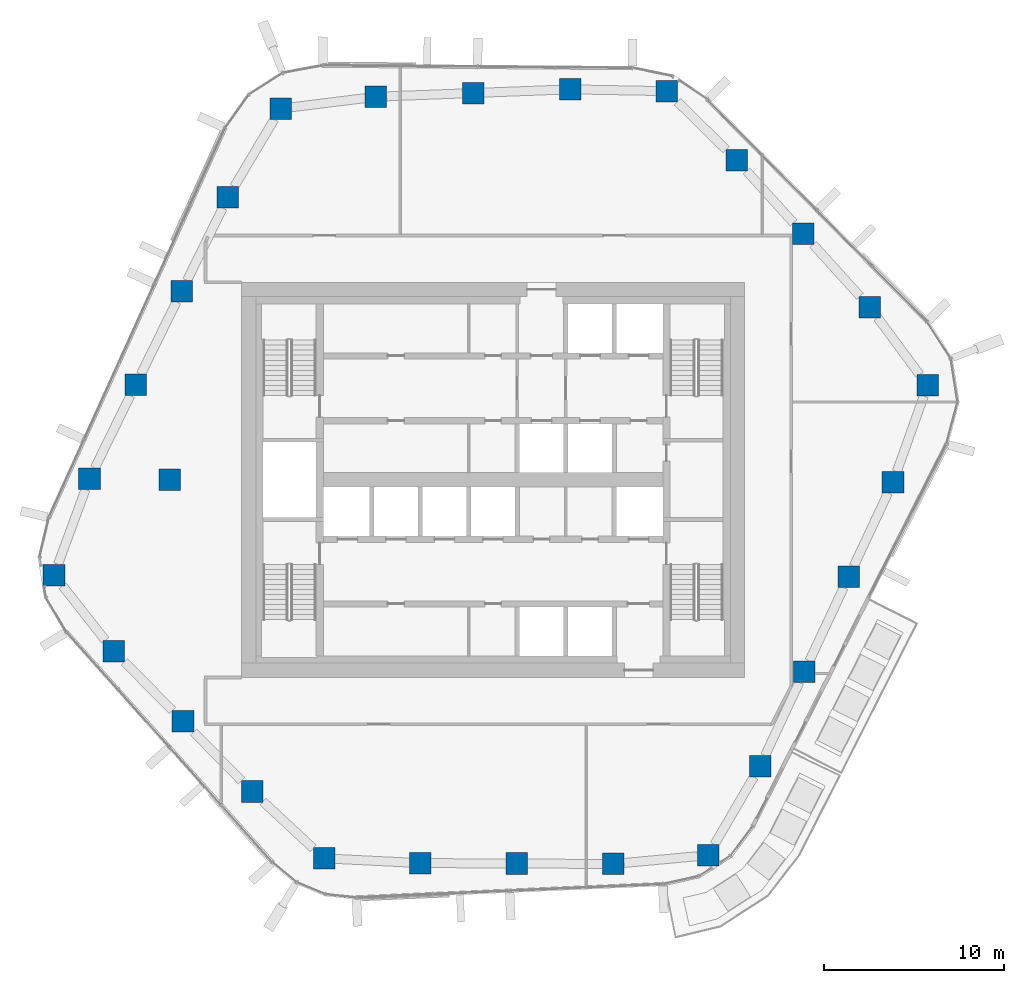
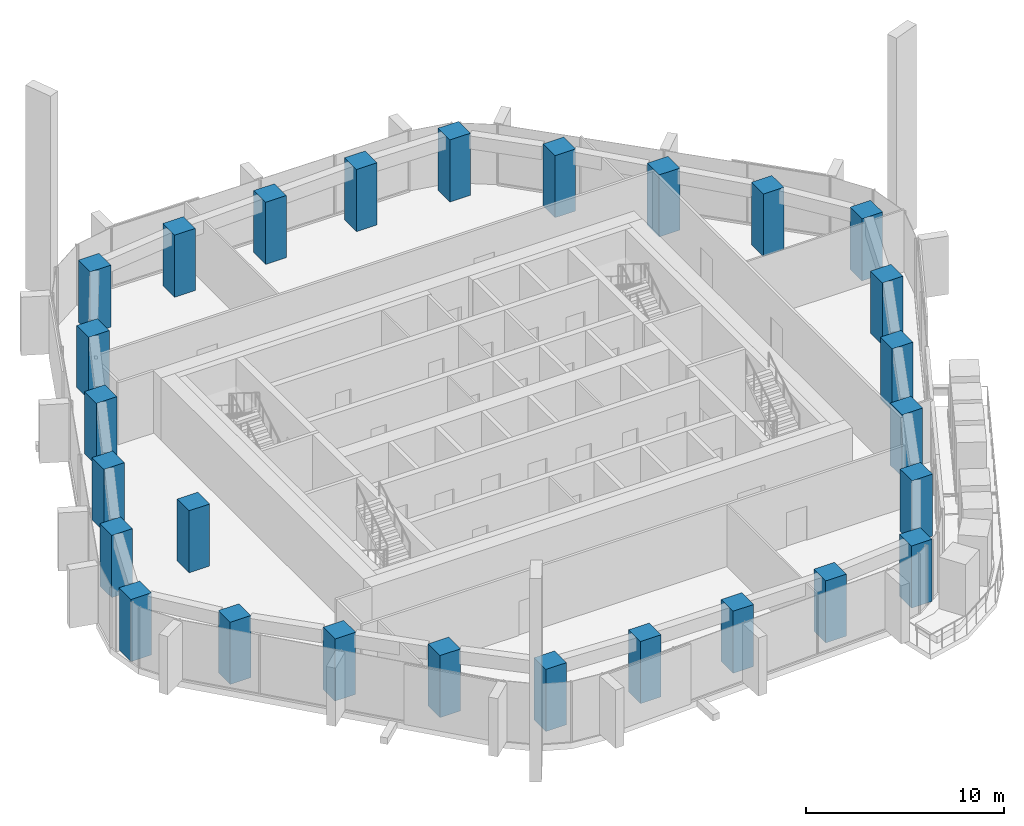
# One storey, part 1 of 18: 27 columns.
"""IFC4 building model written with IfcOpenShell, lengths in metres."""

from ifc_helpers import new_model, si_unit, direction, frame, origin, origin_2d, place, context, subcontext, project, spatial, rectangle, extrude, material, material_profile, profile_set, type_object, element, save


model = new_model("IFC4")

# Units and contexts
model_context = context("Model", 3, precision=1e-05, world=origin(), true_north=direction((0.0, 1.0)))
body_context = subcontext(model_context, "Body", "Model", "MODEL_VIEW")
ifc_project = project(units=[si_unit("LENGTHUNIT", "METRE"), si_unit("AREAUNIT", "SQUARE_METRE"), si_unit("VOLUMEUNIT", "CUBIC_METRE"), si_unit("PLANEANGLEUNIT", "RADIAN"), si_unit("MASSUNIT", "GRAM", prefix="KILO")], contexts=[model_context])

# Site, building, storey
site_placement = place(None, origin())
site = spatial("IfcSite", under=ifc_project, at=site_placement, CompositionType="ELEMENT")
building_placement = place(site_placement, origin())
building = spatial("IfcBuilding", under=site, at=building_placement, Name="Dongbaek Canopy Tower", CompositionType="ELEMENT")
storey_placement = place(building_placement, frame((0.0, 0.0, 171.199951171875)))
storey = spatial("IfcBuildingStorey", under=building, at=storey_placement, Name="L37", CompositionType="ELEMENT", Elevation=171.199951171875)

# Columns
ifc_material = material(Name="Concrete C70", Category="concrete")
ifc_material_profile = material_profile(ifc_material, rectangle(XDim=1.199951171875, YDim=1.199951171875, at=origin_2d()), Name="RC COLUMN 1200x1200 C70")
ifc_profile_set = profile_set([ifc_material_profile], Name="Concrete C70")
column_type = type_object("IfcColumnType", Name="RC COLUMN 1200x1200 C70", PredefinedType="COLUMN", material=ifc_profile_set)
for number, where, z_axis, x_axis, name in (
    (1, (11.971923828125, -20.885009765625, 0.0), (0.0, 0.0, 1.0), (1.0, 0.0, 0.0), "COL:CZ3-01:L37"),
    (2, (6.697998046875, -21.3720703125, 0.0), (0.0, 0.0, 1.0), (1.0, 0.0, 0.0), "COL:CZ3-02:L37"),
    (3, (1.321044921875, -21.347900390625, 0.0), (0.0, 0.0, 1.0), (1.0, 0.0, 0.0), "COL:CZ3-03:L37"),
    (4, (-4.054931640625, -21.323974609375, 0.0), (0.0, 0.0, 1.0), (1.0, 0.0, 0.0), "COL:CZ3-04:L37"),
    (5, (-9.407958984375, -21.06103515625, 0.0), (0.0, 0.0, 1.0), (1.0, 0.0, 0.0), "COL:CZ3-05:L37"),
    (6, (-13.409912109375, -17.339111328125, 0.0), (0.0, 0.0, 1.0), (1.0, 0.0, 0.0), "COL:CZ3-06:L37"),
    (7, (-17.258056640625, -13.431884765625, 0.0), (0.0, 0.0, 1.0), (1.0, 0.0, 0.0), "COL:CZ3-07:L37"),
    (8, (-21.10595703125, -9.52490234375, 0.0), (0.0, 0.0, 1.0), (1.0, 0.0, 0.0), "COL:CZ3-08:L37"),
    (9, (-24.43505859375, -5.2939453125, 0.0), (0.0, 0.0, 1.0), (1.0, 0.0, 0.0), "COL:CZ3-09:L37"),
    (10, (-22.4619140625, 0.06689453125, 0.0), (0.0, 0.0, 1.0), (1.0, 0.0, 0.0), "COL:CZ3-10:L37"),
    (11, (-19.89599609375, 5.287109375, 0.0), (0.0, 0.0, 1.0), (1.0, 0.0, 0.0), "COL:CZ3-11:L37"),
    (12, (-17.327880859375, 10.5048828125, 0.0), (0.0, 0.0, 1.0), (1.0, 0.0, 0.0), "COL:CZ3-12:L37"),
    (13, (-14.761962890625, 15.72412109375, 0.0), (0.0, 0.0, 1.0), (1.0, 0.0, 0.0), "COL:CZ3-13:L37"),
    (14, (-11.822998046875, 20.660888671875, 0.0), (0.0, 0.0, 1.0), (1.0, 0.0, 0.0), "COL:CZ3-14:L37"),
    (15, (-6.52197265625, 21.322998046875, 0.0), (0.0, 0.0, 1.0), (1.0, 0.0, 0.0), "COL:CZ3-15:L37"),
    (16, (-1.113037109375, 21.530029296875, 0.0), (0.0, 0.0, 1.0), (1.0, 0.0, 0.0), "COL:CZ3-16:L37"),
    (17, (4.294921875, 21.736083984375, 0.0), (0.0, 0.0, 1.0), (1.0, 0.0, 0.0), "COL:CZ3-17:L37"),
    (18, (9.666015625, 21.635009765625, 0.0), (0.0, 0.0, 1.0), (1.0, 0.0, 0.0), "COL:CZ3-18:L37"),
    (19, (13.56005859375, 17.7919921875, 0.0), (0.0, 0.0, 1.0), (1.0, 0.0, 0.0), "COL:CZ3-19:L37"),
    (20, (17.260986328125, 13.7060546875, 0.0), (0.0, 0.0, 1.0), (1.0, 0.0, 0.0), "COL:CZ3-20:L37"),
    (21, (20.9599609375, 9.62109375, 0.0), (0.0, 0.0, 1.0), (1.0, 0.0, 0.0), "COL:CZ3-21:L37"),
    (22, (24.179931640625, 5.257080078125, 0.0), (0.0, 0.0, 1.0), (1.0, 0.0, 0.0), "COL:CZ3-22:L37"),
    (23, (22.25390625, -0.134033203125, 0.0), (0.0, 0.0, 1.0), (1.0, 0.0, 0.0), "COL:CZ3-23:L37"),
    (24, (19.7880859375, -5.39892578125, 0.0), (0.0, 0.0, 1.0), (1.0, 0.0, 0.0), "COL:CZ3-24:L37"),
    (25, (17.322021484375, -10.666015625, 0.0), (0.0, 0.0, 1.0), (1.0, 0.0, 0.0), "COL:CZ3-25:L37"),
    (26, (14.85498046875, -15.931884765625, 0.0), (0.0, 0.0, 1.0), (1.0, 0.0, 0.0), "COL:CZ3-26:L37"),
    (27, (-18.0, 0.0, 0.0), (0.0, 0.0, 1.0), (1.0, 0.0, 0.0), "COL:CIZ3-01:L37"),
):
    element("IfcColumn", number, at=place(storey_placement, frame(where, z_axis=z_axis, x_axis=x_axis)), inside=storey, type_object=column_type, Name=name, PredefinedType="COLUMN", context=body_context, shape_type="SweptSolid", body=[
        extrude(rectangle(XDim=1.199951171875, YDim=1.199951171875, at=origin_2d()), origin(), (0.0, 0.0, 1.0), 3.820068359375),
    ])

save(model, "model.ifc")
